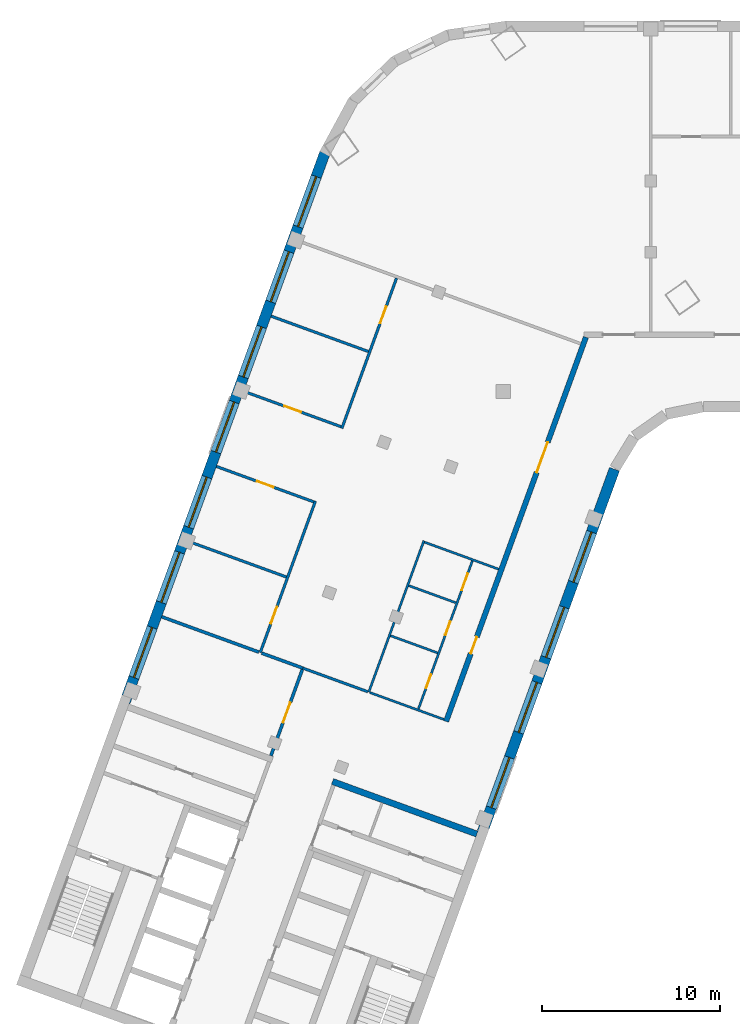
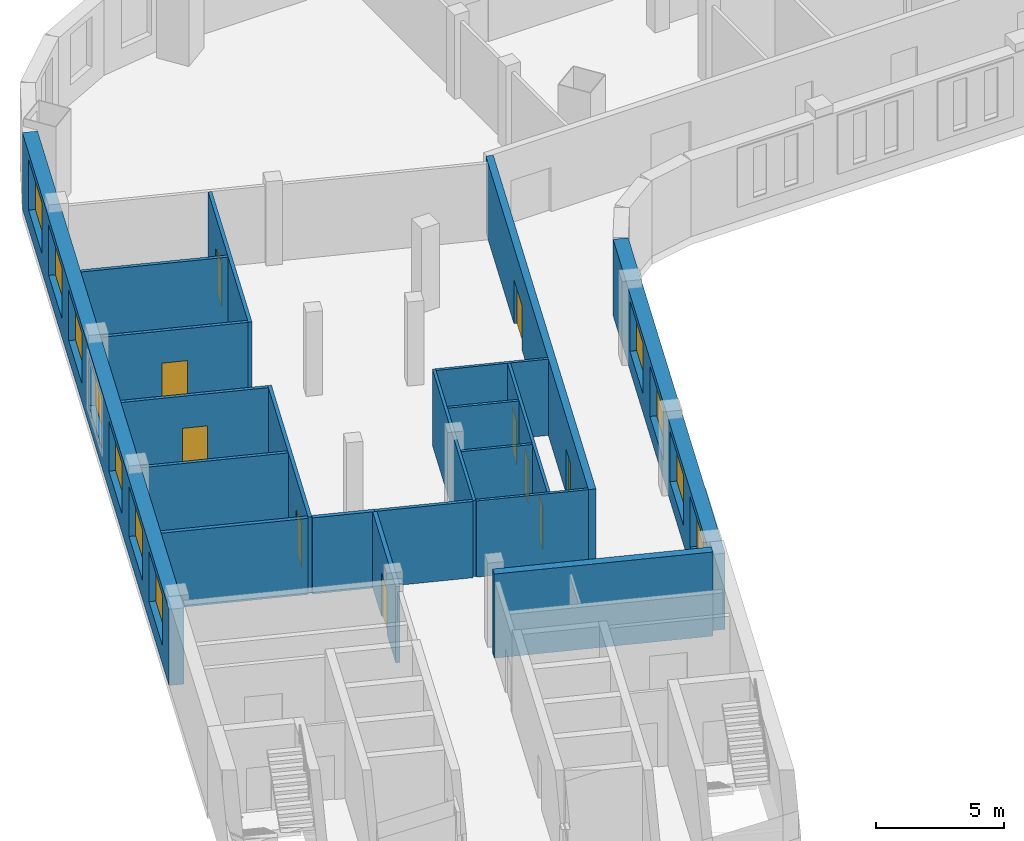
# One storey, part 3 of 8: 20 walls, 11 windows, 10 doors, 21 openings.
"""IFC4 building model written with IfcOpenShell, lengths in metres."""

from ifc_helpers import new_model, si_unit, direction, frame, frame_2d, origin, place, context, subcontext, project, spatial, rectangle, extrude, material, layer, layer_set, type_object, element, fill, save


model = new_model("IFC4")

# Units and contexts
model_context = context("Model", 3, precision=1e-05, world=origin(), true_north=direction((0.0, 1.0)))
body_context = subcontext(model_context, "Body", "Model", "MODEL_VIEW")
ifc_project = project(units=[si_unit("LENGTHUNIT", "METRE"), si_unit("AREAUNIT", "SQUARE_METRE"), si_unit("VOLUMEUNIT", "CUBIC_METRE"), si_unit("PLANEANGLEUNIT", "RADIAN"), si_unit("MASSUNIT", "GRAM", prefix="KILO")], contexts=[model_context])

# Site, building, storey
site_placement = place(None, origin())
site = spatial("IfcSite", under=ifc_project, at=site_placement, CompositionType="ELEMENT")
building_placement = place(site_placement, origin())
building = spatial("IfcBuilding", under=site, at=building_placement, Name="Skarvind Civic Tower", CompositionType="ELEMENT")
storey_placement = place(building_placement, frame((0.0, 0.0, 162.5)))
storey = spatial("IfcBuildingStorey", under=building, at=storey_placement, Name="L38", CompositionType="ELEMENT", Elevation=162.5)

# Walls
ifc_material_1 = material(Name="Acoustic gypsum board on steel studs", Category="steel")
ifc_layer_1 = layer(ifc_material_1, 0.175048828125)
ifc_layer_set_1 = layer_set([ifc_layer_1], Name="ACOUSTIC MEETING-ROOM PARTITION 175")
wall_type_1 = type_object("IfcWallType", Name="ACOUSTIC MEETING-ROOM PARTITION 175", PredefinedType="PARTITIONING", material=ifc_layer_set_1)
wall_1_placement = place(storey_placement, frame((26.736083984375, 105.47998046875, 0.0), z_axis=(0.0, 0.0, 1.0), x_axis=(0.939674453825, -0.342070052516, 0.0)))
element("IfcWall", 1, at=wall_1_placement, inside=storey, type_object=wall_type_1, Name="Partition 38.001", PredefinedType="PARTITIONING", context=body_context, shape_type="SweptSolid", body=[
    extrude(rectangle(XDim=5.814697265625, YDim=0.175048828125, at=frame_2d((2.9072265625, 0.0))), origin(), (0.0, 0.0, 1.0), 3.625),
])
wall_2_placement = place(storey_placement, frame((32.35888671875, 103.43310546875, 0.0), z_axis=(0.0, 0.0, 1.0), x_axis=(0.939784753685, -0.341766904105, 0.0)))
element("IfcWall", 2, at=wall_2_placement, inside=storey, type_object=wall_type_1, Name="Partition 38.004", PredefinedType="PARTITIONING", context=body_context, shape_type="SweptSolid", body=[
    extrude(rectangle(XDim=2.466552734375, YDim=0.175048828125, at=frame_2d((1.2333984375, 0.0))), origin(), (0.0, 0.0, 1.0), 3.625),
])

# Wall, opening, door
wall_3_placement = place(storey_placement, frame((32.881103515625, 97.656982421875, 0.0), z_axis=(0.0, 0.0, 1.0), x_axis=(0.342058204353, 0.939678766832, 0.0)))
wall_3 = element("IfcWall", 3, at=wall_3_placement, inside=storey, type_object=wall_type_1, Name="Partition 38.007", PredefinedType="PARTITIONING", context=body_context, shape_type="SweptSolid", body=[
    extrude(rectangle(XDim=5.16259765625, YDim=0.175048828125, at=frame_2d((2.581298828125, 0.0))), origin(), (0.0, 0.0, 1.0), 3.625),
])
opening_1_placement = place(wall_3_placement, frame((1.9912109375, 0.0, 0.0)))
opening_1 = element("IfcOpeningElement", 4, at=opening_1_placement, cuts=wall_3, Name="Opening L38-D011", PredefinedType="OPENING", context=body_context, shape_type="SweptSolid", body=[
    extrude(rectangle(XDim=1.199951171875, YDim=2.10009765625, at=frame_2d((0.60009765625, 1.050048828125))), frame((0.0, 0.097412109375, 0.0), z_axis=(0.0, -1.0, 0.0), x_axis=(1.0, 0.0, 0.0)), (0.0, 0.0, 1.0), 0.195068359375),
])
ifc_material_2 = material(Name="Timber door leaf", Category="wood")
door_type_1 = type_object("IfcDoorType", Name="DOOR 1200X2100 DOUBLE TIMBER", OperationType="NOTDEFINED", PredefinedType="DOOR", material=ifc_material_2)
door_1_placement = place(opening_1_placement, origin())
door_1 = element("IfcDoor", 5, at=door_1_placement, inside=storey, type_object=door_type_1, Name="Door L38-D011", OperationType="DOUBLE_DOOR_SINGLE_SWING", OverallHeight=2.10009765625, OverallWidth=1.199951171875, PredefinedType="DOOR", context=body_context, shape_type="SweptSolid", body=[
    extrude(rectangle(XDim=1.199951171875, YDim=2.10009765625, at=frame_2d((0.60009765625, 1.050048828125))), frame((0.0, 0.02490234375, 0.0), z_axis=(0.0, -1.0, 0.0), x_axis=(1.0, 0.0, 0.0)), (0.0, 0.0, 1.0), 0.050048828125),
])
fill(opening_1, door_1)

# Wall, openings, doors
ifc_material_3 = material(Name="Fire-rated gypsum board on steel studs", Category="steel")
ifc_layer_2 = layer(ifc_material_3, 0.300048828125)
ifc_layer_set_2 = layer_set([ifc_layer_2], Name="CORRIDOR WALL 300")
wall_type_2 = type_object("IfcWallType", Name="CORRIDOR WALL 300", PredefinedType="PARTITIONING", material=ifc_layer_set_2)
wall_4_placement = place(storey_placement, frame((42.737060546875, 99.590087890625, 0.0), z_axis=(0.0, 0.0, 1.0), x_axis=(0.341992703977, 0.939702607438, 0.0)))
wall_4 = element("IfcWall", 6, at=wall_4_placement, inside=storey, type_object=wall_type_2, Name="Partition 38.019", PredefinedType="PARTITIONING", context=body_context, shape_type="SweptSolid", body=[
    extrude(rectangle(XDim=23.006103515625, YDim=0.300048828125, at=frame_2d((11.5029296875, 0.0))), origin(), (0.0, 0.0, 1.0), 3.625),
])
opening_2_placement = place(wall_4_placement, frame((4.0625, 0.0, 0.0)))
opening_2 = element("IfcOpeningElement", 7, at=opening_2_placement, cuts=wall_4, Name="Opening L38-D012", PredefinedType="OPENING", context=body_context, shape_type="SweptSolid", body=[
    extrude(rectangle(XDim=1.0, YDim=2.10009765625, at=frame_2d((0.5, 1.050048828125))), frame((0.0, 0.159912109375, 0.0), z_axis=(0.0, -1.0, 0.0), x_axis=(1.0, 0.0, 0.0)), (0.0, 0.0, 1.0), 0.320068359375),
])
opening_3_placement = place(wall_4_placement, frame((14.912353515625, 0.0, 0.0)))
opening_3 = element("IfcOpeningElement", 8, at=opening_3_placement, cuts=wall_4, Name="Opening L38-D020", PredefinedType="OPENING", context=body_context, shape_type="SweptSolid", body=[
    extrude(rectangle(XDim=1.800048828125, YDim=2.10009765625, at=frame_2d((0.89990234375, 1.050048828125))), frame((0.0, 0.159912109375, 0.0), z_axis=(0.0, -1.0, 0.0), x_axis=(1.0, 0.0, 0.0)), (0.0, 0.0, 1.0), 0.320068359375),
])
ifc_material_4 = material(Name="Fire-rated timber door leaf", Category="wood")
door_type_2 = type_object("IfcDoorType", Name="FD1 1000x2100", OperationType="NOTDEFINED", PredefinedType="DOOR", material=ifc_material_4)
door_2_placement = place(opening_2_placement, origin())
door_2 = element("IfcDoor", 9, at=door_2_placement, inside=storey, type_object=door_type_2, Name="Door L38-D012", OperationType="SINGLE_SWING_LEFT", OverallHeight=2.10009765625, OverallWidth=1.0, PredefinedType="DOOR", context=body_context, shape_type="SweptSolid", body=[
    extrude(rectangle(XDim=1.0, YDim=2.10009765625, at=frame_2d((0.5, 1.050048828125))), frame((0.0, 0.02490234375, 0.0), z_axis=(0.0, -1.0, 0.0), x_axis=(1.0, 0.0, 0.0)), (0.0, 0.0, 1.0), 0.050048828125),
])
fill(opening_2, door_2)
door_type_3 = type_object("IfcDoorType", Name="FD4 1800x2100", OperationType="NOTDEFINED", PredefinedType="DOOR", material=ifc_material_4)
door_3_placement = place(opening_3_placement, origin())
door_3 = element("IfcDoor", 10, at=door_3_placement, inside=storey, type_object=door_type_3, Name="Door L38-D020", OperationType="DOUBLE_DOOR_SINGLE_SWING", OverallHeight=2.10009765625, OverallWidth=1.800048828125, PredefinedType="DOOR", context=body_context, shape_type="SweptSolid", body=[
    extrude(rectangle(XDim=1.800048828125, YDim=2.10009765625, at=frame_2d((0.89990234375, 1.050048828125))), frame((0.0, 0.02490234375, 0.0), z_axis=(0.0, -1.0, 0.0), x_axis=(1.0, 0.0, 0.0)), (0.0, 0.0, 1.0), 0.050048828125),
])
fill(opening_3, door_3)

# Walls
ifc_material_5 = material(Name="Concrete C60", Category="concrete")
ifc_layer_3 = layer(ifc_material_5, 0.35009765625)
ifc_layer_set_3 = layer_set([ifc_layer_3], Name="Core wall 350 C60")
wall_type_3 = type_object("IfcWallType", Name="Core wall 350 C60", PredefinedType="SHEAR", material=ifc_layer_set_3)
wall_5_placement = place(storey_placement, frame((44.473388671875, 93.25146484375, 0.0), z_axis=(0.0, 0.0, 1.0), x_axis=(-0.939692847377, 0.34201952077, 0.0)))
element("IfcWall", 11, at=wall_5_placement, inside=storey, type_object=wall_type_3, Name="Core wall C2 south inner face L38", PredefinedType="SHEAR", context=body_context, shape_type="SweptSolid", body=[
    extrude(rectangle(XDim=8.650146484375, YDim=0.35009765625, at=frame_2d((4.3251953125, 0.0))), origin(), (0.0, 0.0, 1.0), 4.0),
])
ifc_material_6 = material(Name="Plasterboard partition on steel studs", Category="steel")
ifc_layer_4 = layer(ifc_material_6, 0.14990234375)
ifc_layer_set_4 = layer_set([ifc_layer_4], Name="PARTITION 150")
wall_type_4 = type_object("IfcWallType", Name="PARTITION 150", PredefinedType="PARTITIONING", material=ifc_layer_set_4)
wall_6_placement = place(storey_placement, frame((28.27490234375, 109.708984375, 0.0), z_axis=(0.0, 0.0, 1.0), x_axis=(0.939718757431, -0.341948324943, 0.0)))
element("IfcWall", 12, at=wall_6_placement, inside=storey, type_object=wall_type_4, Name="Partition 38.002", PredefinedType="PARTITIONING", context=body_context, shape_type="SweptSolid", body=[
    extrude(rectangle(XDim=5.8251953125, YDim=0.14990234375, at=frame_2d((2.91259765625, 0.0))), origin(), (0.0, 0.0, 1.0), 3.625),
])

# Wall, opening, door
wall_7_placement = place(storey_placement, frame((29.81396484375, 113.93798828125, 0.0), z_axis=(0.0, 0.0, 1.0), x_axis=(0.939738354986, -0.341894463495, 0.0)))
wall_7 = element("IfcWall", 13, at=wall_7_placement, inside=storey, type_object=wall_type_4, Name="Partition 38.003", PredefinedType="PARTITIONING", context=body_context, shape_type="SweptSolid", body=[
    extrude(rectangle(XDim=5.826171875, YDim=0.14990234375, at=frame_2d((2.9130859375, 0.0))), origin(), (0.0, 0.0, 1.0), 3.625),
])
opening_4_placement = place(wall_7_placement, frame((2.42333984375, 0.0, 0.0)))
opening_4 = element("IfcOpeningElement", 14, at=opening_4_placement, cuts=wall_7, Name="Opening L38-D017", PredefinedType="OPENING", context=body_context, shape_type="SweptSolid", body=[
    extrude(rectangle(XDim=1.0, YDim=2.10009765625, at=frame_2d((0.5, 1.050048828125))), frame((0.0, 0.0849609375, 0.0), z_axis=(0.0, -1.0, 0.0), x_axis=(1.0, 0.0, 0.0)), (0.0, 0.0, 1.0), 0.169921875),
])
door_type_4 = type_object("IfcDoorType", Name="D1 1000x2100", OperationType="NOTDEFINED", PredefinedType="DOOR", material=ifc_material_2)
door_4_placement = place(opening_4_placement, origin())
door_4 = element("IfcDoor", 15, at=door_4_placement, inside=storey, type_object=door_type_4, Name="Door L38-D017", OperationType="SINGLE_SWING_LEFT", OverallHeight=2.10009765625, OverallWidth=1.0, PredefinedType="DOOR", context=body_context, shape_type="SweptSolid", body=[
    extrude(rectangle(XDim=1.0, YDim=2.10009765625, at=frame_2d((0.5, 1.050048828125))), frame((0.0, 0.02490234375, 0.0), z_axis=(0.0, -1.0, 0.0), x_axis=(1.0, 0.0, 0.0)), (0.0, 0.0, 1.0), 0.050048828125),
])
fill(opening_4, door_4)

# Walls
wall_8_placement = place(storey_placement, frame((32.89208984375, 122.39501953125, 0.0), z_axis=(0.0, 0.0, 1.0), x_axis=(0.939733456466, -0.341907927371, 0.0)))
element("IfcWall", 16, at=wall_8_placement, inside=storey, type_object=wall_type_4, Name="Partition 38.005", PredefinedType="PARTITIONING", context=body_context, shape_type="SweptSolid", body=[
    extrude(rectangle(XDim=5.825927734375, YDim=0.14990234375, at=frame_2d((2.9130859375, 0.0))), origin(), (0.0, 0.0, 1.0), 3.625),
])
wall_9_placement = place(storey_placement, frame((34.677001953125, 102.590087890625, 0.0), z_axis=(0.0, 0.0, 1.0), x_axis=(0.939712759945, -0.341964806371, 0.0)))
element("IfcWall", 17, at=wall_9_placement, inside=storey, type_object=wall_type_4, Name="Partition 38.008", PredefinedType="PARTITIONING", context=body_context, shape_type="SweptSolid", body=[
    extrude(rectangle(XDim=3.889404296875, YDim=0.14990234375, at=frame_2d((1.94482421875, 0.0))), origin(), (0.0, 0.0, 1.0), 3.625),
])

# Wall, opening, door
wall_10_placement = place(storey_placement, frame((35.385009765625, 111.989990234375, 0.0), z_axis=(0.0, 0.0, 1.0), x_axis=(-0.342153449842, -0.939644090473, 0.0)))
wall_10 = element("IfcWall", 18, at=wall_10_placement, inside=storey, type_object=wall_type_4, Name="Partition 38.009", PredefinedType="PARTITIONING", context=body_context, shape_type="SweptSolid", body=[
    extrude(rectangle(XDim=9.07470703125, YDim=0.14990234375, at=frame_2d((4.537353515625, 0.0))), origin(), (0.0, 0.0, 1.0), 3.625),
])
opening_5_placement = place(wall_10_placement, frame((6.3251953125, 0.0, 0.0)))
opening_5 = element("IfcOpeningElement", 19, at=opening_5_placement, cuts=wall_10, Name="Opening L38-D016", PredefinedType="OPENING", context=body_context, shape_type="SweptSolid", body=[
    extrude(rectangle(XDim=1.0, YDim=2.10009765625, at=frame_2d((0.5, 1.050048828125))), frame((0.0, 0.0849609375, 0.0), z_axis=(0.0, -1.0, 0.0), x_axis=(1.0, 0.0, 0.0)), (0.0, 0.0, 1.0), 0.169921875),
])
door_5_placement = place(opening_5_placement, origin())
door_5 = element("IfcDoor", 20, at=door_5_placement, inside=storey, type_object=door_type_4, Name="Door L38-D016", OperationType="SINGLE_SWING_LEFT", OverallHeight=2.10009765625, OverallWidth=1.0, PredefinedType="DOOR", context=body_context, shape_type="SweptSolid", body=[
    extrude(rectangle(XDim=1.0, YDim=2.10009765625, at=frame_2d((0.5, 1.050048828125))), frame((0.0, 0.02490234375, 0.0), z_axis=(0.0, -1.0, 0.0), x_axis=(1.0, 0.0, 0.0)), (0.0, 0.0, 1.0), 0.050048828125),
])
fill(opening_5, door_5)

wall_11_placement = place(storey_placement, frame((36.827880859375, 116.174072265625, 0.0), z_axis=(0.0, 0.0, 1.0), x_axis=(-0.939733456466, 0.341907927371, 0.0)))
wall_11 = element("IfcWall", 21, at=wall_11_placement, inside=storey, type_object=wall_type_4, Name="Partition 38.010", PredefinedType="PARTITIONING", context=body_context, shape_type="SweptSolid", body=[
    extrude(rectangle(XDim=5.825927734375, YDim=0.14990234375, at=frame_2d((2.9130859375, 0.0))), origin(), (0.0, 0.0, 1.0), 3.625),
])
opening_6_placement = place(wall_11_placement, frame((2.40283203125, 0.0, 0.0)))
opening_6 = element("IfcOpeningElement", 22, at=opening_6_placement, cuts=wall_11, Name="Opening L38-D018", PredefinedType="OPENING", context=body_context, shape_type="SweptSolid", body=[
    extrude(rectangle(XDim=1.0, YDim=2.10009765625, at=frame_2d((0.5, 1.050048828125))), frame((0.0, 0.0849609375, 0.0), z_axis=(0.0, -1.0, 0.0), x_axis=(1.0, 0.0, 0.0)), (0.0, 0.0, 1.0), 0.169921875),
])
door_6_placement = place(opening_6_placement, origin())
door_6 = element("IfcDoor", 23, at=door_6_placement, inside=storey, type_object=door_type_4, Name="Door L38-D018", OperationType="SINGLE_SWING_RIGHT", OverallHeight=2.10009765625, OverallWidth=1.0, PredefinedType="DOOR", context=body_context, shape_type="SweptSolid", body=[
    extrude(rectangle(XDim=1.0, YDim=2.10009765625, at=frame_2d((0.5, 1.050048828125))), frame((0.0, 0.02490234375, 0.0), z_axis=(0.0, -1.0, 0.0), x_axis=(1.0, 0.0, 0.0)), (0.0, 0.0, 1.0), 0.050048828125),
])
fill(opening_6, door_6)

wall_12_placement = place(storey_placement, frame((39.949951171875, 124.535888671875, 0.0), z_axis=(0.0, 0.0, 1.0), x_axis=(-0.341963022424, -0.939713409128, 0.0)))
wall_12 = element("IfcWall", 24, at=wall_12_placement, inside=storey, type_object=wall_type_4, Name="Partition 38.011", PredefinedType="PARTITIONING", context=body_context, shape_type="SweptSolid", body=[
    extrude(rectangle(XDim=9.000732421875, YDim=0.14990234375, at=frame_2d((4.50048828125, 0.0))), origin(), (0.0, 0.0, 1.0), 3.625),
])
opening_7_placement = place(wall_12_placement, frame((1.70263671875, 0.0, 0.0)))
opening_7 = element("IfcOpeningElement", 25, at=opening_7_placement, cuts=wall_12, Name="Opening L38-D019", PredefinedType="OPENING", context=body_context, shape_type="SweptSolid", body=[
    extrude(rectangle(XDim=1.0, YDim=2.10009765625, at=frame_2d((0.5, 1.050048828125))), frame((0.0, 0.0849609375, 0.0), z_axis=(0.0, -1.0, 0.0), x_axis=(1.0, 0.0, 0.0)), (0.0, 0.0, 1.0), 0.169921875),
])
door_7_placement = place(opening_7_placement, origin())
door_7 = element("IfcDoor", 26, at=door_7_placement, inside=storey, type_object=door_type_4, Name="Door L38-D019", OperationType="SINGLE_SWING_LEFT", OverallHeight=2.10009765625, OverallWidth=1.0, PredefinedType="DOOR", context=body_context, shape_type="SweptSolid", body=[
    extrude(rectangle(XDim=1.0, YDim=2.10009765625, at=frame_2d((0.5, 1.050048828125))), frame((0.0, 0.02490234375, 0.0), z_axis=(0.0, -1.0, 0.0), x_axis=(1.0, 0.0, 0.0)), (0.0, 0.0, 1.0), 0.050048828125),
])
fill(opening_7, door_7)

# Walls
ifc_material_7 = material(Name="Moisture-resistant gypsum board on steel studs", Category="steel")
ifc_layer_5 = layer(ifc_material_7, 0.125)
ifc_layer_set_5 = layer_set([ifc_layer_5], Name="WC PARTITION 125")
wall_type_5 = type_object("IfcWallType", Name="WC PARTITION 125", PredefinedType="PARTITIONING", material=ifc_layer_set_5)
wall_13_placement = place(storey_placement, frame((38.455078125, 101.214111328125, 0.0), z_axis=(0.0, 0.0, 1.0), x_axis=(0.939738687483, -0.341893549585, 0.0)))
element("IfcWall", 27, at=wall_13_placement, inside=storey, type_object=wall_type_5, Name="Partition 38.012", PredefinedType="PARTITIONING", context=body_context, shape_type="SweptSolid", body=[
    extrude(rectangle(XDim=4.4287109375, YDim=0.125, at=frame_2d((2.21435546875, 0.0))), origin(), (0.0, 0.0, 1.0), 3.625),
])
wall_14_placement = place(storey_placement, frame((38.387939453125, 101.239990234375, 0.0), z_axis=(0.0, 0.0, 1.0), x_axis=(0.342067486799, 0.93967538782, 0.0)))
element("IfcWall", 28, at=wall_14_placement, inside=storey, type_object=wall_type_5, Name="Partition 38.013", PredefinedType="PARTITIONING", context=body_context, shape_type="SweptSolid", body=[
    extrude(rectangle(XDim=9.062744140625, YDim=0.125, at=frame_2d((4.53125, 0.0))), origin(), (0.0, 0.0, 1.0), 3.625),
])

# Wall, openings, doors
wall_15_placement = place(storey_placement, frame((41.180908203125, 100.2900390625, 0.0), z_axis=(0.0, 0.0, 1.0), x_axis=(0.34222012082, 0.939619810831, 0.0)))
wall_15 = element("IfcWall", 29, at=wall_15_placement, inside=storey, type_object=wall_type_5, Name="Partition 38.015", PredefinedType="PARTITIONING", context=body_context, shape_type="SweptSolid", body=[
    extrude(rectangle(XDim=8.874755859375, YDim=0.125, at=frame_2d((4.4375, 0.0))), origin(), (0.0, 0.0, 1.0), 3.625),
])
opening_8_placement = place(wall_15_placement, frame((1.25830078125, 0.0, 0.0)))
opening_8 = element("IfcOpeningElement", 30, at=opening_8_placement, cuts=wall_15, Name="Opening L38-D013", PredefinedType="OPENING", context=body_context, shape_type="SweptSolid", body=[
    extrude(rectangle(XDim=0.800048828125, YDim=2.10009765625, at=frame_2d((0.39990234375, 1.050048828125))), frame((0.0, 0.072509765625, 0.0), z_axis=(0.0, -1.0, 0.0), x_axis=(1.0, 0.0, 0.0)), (0.0, 0.0, 1.0), 0.14501953125),
])
opening_9_placement = place(wall_15_placement, frame((4.43701171875, 0.0, 0.0)))
opening_9 = element("IfcOpeningElement", 31, at=opening_9_placement, cuts=wall_15, Name="Opening L38-D014", PredefinedType="OPENING", context=body_context, shape_type="SweptSolid", body=[
    extrude(rectangle(XDim=0.800048828125, YDim=2.10009765625, at=frame_2d((0.39990234375, 1.050048828125))), frame((0.0, 0.072509765625, 0.0), z_axis=(0.0, -1.0, 0.0), x_axis=(1.0, 0.0, 0.0)), (0.0, 0.0, 1.0), 0.14501953125),
])
opening_10_placement = place(wall_15_placement, frame((7.1162109375, 0.0, 0.0)))
opening_10 = element("IfcOpeningElement", 32, at=opening_10_placement, cuts=wall_15, Name="Opening L38-D015", PredefinedType="OPENING", context=body_context, shape_type="SweptSolid", body=[
    extrude(rectangle(XDim=1.0, YDim=2.10009765625, at=frame_2d((0.5, 1.050048828125))), frame((0.0, 0.072509765625, 0.0), z_axis=(0.0, -1.0, 0.0), x_axis=(1.0, 0.0, 0.0)), (0.0, 0.0, 1.0), 0.14501953125),
])
door_8_placement = place(opening_10_placement, origin())
door_8 = element("IfcDoor", 33, at=door_8_placement, inside=storey, type_object=door_type_4, Name="Door L38-D015", OperationType="SINGLE_SWING_LEFT", OverallHeight=2.10009765625, OverallWidth=1.0, PredefinedType="DOOR", context=body_context, shape_type="SweptSolid", body=[
    extrude(rectangle(XDim=1.0, YDim=2.10009765625, at=frame_2d((0.5, 1.050048828125))), frame((0.0, 0.02490234375, 0.0), z_axis=(0.0, -1.0, 0.0), x_axis=(1.0, 0.0, 0.0)), (0.0, 0.0, 1.0), 0.050048828125),
])
fill(opening_10, door_8)
door_type_5 = type_object("IfcDoorType", Name="DOOR 800X2100 TIMBER", OperationType="NOTDEFINED", PredefinedType="DOOR", material=ifc_material_2)
door_9_placement = place(opening_8_placement, origin())
door_9 = element("IfcDoor", 34, at=door_9_placement, inside=storey, type_object=door_type_5, Name="Door L38-D013", OperationType="SINGLE_SWING_LEFT", OverallHeight=2.10009765625, OverallWidth=0.800048828125, PredefinedType="DOOR", context=body_context, shape_type="SweptSolid", body=[
    extrude(rectangle(XDim=0.800048828125, YDim=2.10009765625, at=frame_2d((0.39990234375, 1.050048828125))), frame((0.0, 0.02490234375, 0.0), z_axis=(0.0, -1.0, 0.0), x_axis=(1.0, 0.0, 0.0)), (0.0, 0.0, 1.0), 0.050048828125),
])
fill(opening_8, door_9)
door_10_placement = place(opening_9_placement, origin())
door_10 = element("IfcDoor", 35, at=door_10_placement, inside=storey, type_object=door_type_5, Name="Door L38-D014", OperationType="SINGLE_SWING_LEFT", OverallHeight=2.10009765625, OverallWidth=0.800048828125, PredefinedType="DOOR", context=body_context, shape_type="SweptSolid", body=[
    extrude(rectangle(XDim=0.800048828125, YDim=2.10009765625, at=frame_2d((0.39990234375, 1.050048828125))), frame((0.0, 0.02490234375, 0.0), z_axis=(0.0, -1.0, 0.0), x_axis=(1.0, 0.0, 0.0)), (0.0, 0.0, 1.0), 0.050048828125),
])
fill(opening_9, door_10)

# Walls
wall_16_placement = place(storey_placement, frame((41.52587890625, 109.676025390625, 0.0), z_axis=(0.0, 0.0, 1.0), x_axis=(0.939577975992, -0.342334963203, 0.0)))
element("IfcWall", 36, at=wall_16_placement, inside=storey, type_object=wall_type_5, Name="Partition 38.016", PredefinedType="PARTITIONING", context=body_context, shape_type="SweptSolid", body=[
    extrude(rectangle(XDim=4.437255859375, YDim=0.125, at=frame_2d((2.21875, 0.0))), origin(), (0.0, 0.0, 1.0), 3.625),
])
wall_17_placement = place(storey_placement, frame((42.263916015625, 103.446044921875, 0.0), z_axis=(0.0, 0.0, 1.0), x_axis=(-0.939563555473, 0.342374539396, 0.0)))
element("IfcWall", 37, at=wall_17_placement, inside=storey, type_object=wall_type_5, Name="Partition 38.017", PredefinedType="PARTITIONING", context=body_context, shape_type="SweptSolid", body=[
    extrude(rectangle(XDim=2.824462890625, YDim=0.125, at=frame_2d((1.412109375, 0.0))), origin(), (0.0, 0.0, 1.0), 3.625),
])
wall_18_placement = place(storey_placement, frame((43.2900390625, 106.26611328125, 0.0), z_axis=(0.0, 0.0, 1.0), x_axis=(-0.939601484935, 0.342270433294, 0.0)))
element("IfcWall", 38, at=wall_18_placement, inside=storey, type_object=wall_type_5, Name="Partition 38.020", PredefinedType="PARTITIONING", context=body_context, shape_type="SweptSolid", body=[
    extrude(rectangle(XDim=2.82470703125, YDim=0.125, at=frame_2d((1.412353515625, 0.0))), origin(), (0.0, 0.0, 1.0), 3.625),
])

# Wall, openings, windows
ifc_material_8 = material(Name="Limestone masonry cladding on insulated backing", Category="masonry")
ifc_layer_6 = layer(ifc_material_8, 0.60009765625)
ifc_layer_set_6 = layer_set([ifc_layer_6], Name="WX1 STONE FACADE WALL 600")
wall_type_6 = type_object("IfcWallType", Name="WX1 STONE FACADE WALL 600", PredefinedType="SOLIDWALL", material=ifc_layer_set_6)
wall_19_placement = place(storey_placement, frame((52.212158203125, 113.78271484375, 0.0), z_axis=(0.0, 0.0, 1.0), x_axis=(-0.34202521188, -0.939690775968, 0.0)))
wall_19 = element("IfcWall", 39, at=wall_19_placement, inside=storey, type_object=wall_type_6, Name="STONE FACADE WALL", PredefinedType="SOLIDWALL", context=body_context, shape_type="SweptSolid", body=[
    extrude(rectangle(XDim=21.744873046875, YDim=0.60009765625, at=frame_2d((10.87255859375, 0.0))), origin(), (0.0, 0.0, 1.0), 3.625),
])
opening_11_placement = place(wall_19_placement, frame((3.764892578125, 0.0, 0.89990234375)))
opening_11 = element("IfcOpeningElement", 40, at=opening_11_placement, cuts=wall_19, Name="Opening WN1", PredefinedType="OPENING", context=body_context, shape_type="SweptSolid", body=[
    extrude(rectangle(XDim=3.0, YDim=2.39990234375, at=frame_2d((1.5, 1.199951171875))), frame((0.0, 0.31005859375, 0.0), z_axis=(0.0, -1.0, 0.0), x_axis=(1.0, 0.0, 0.0)), (0.0, 0.0, 1.0), 0.6201171875),
])
opening_12_placement = place(wall_19_placement, frame((8.264892578125, 0.0, 0.89990234375)))
opening_12 = element("IfcOpeningElement", 41, at=opening_12_placement, cuts=wall_19, Name="Opening WN1", PredefinedType="OPENING", context=body_context, shape_type="SweptSolid", body=[
    extrude(rectangle(XDim=3.0, YDim=2.39990234375, at=frame_2d((1.5, 1.199951171875))), frame((0.0, 0.31005859375, 0.0), z_axis=(0.0, -1.0, 0.0), x_axis=(1.0, 0.0, 0.0)), (0.0, 0.0, 1.0), 0.6201171875),
])
opening_13_placement = place(wall_19_placement, frame((12.764892578125, 0.0, 0.89990234375)))
opening_13 = element("IfcOpeningElement", 42, at=opening_13_placement, cuts=wall_19, Name="Opening WN1", PredefinedType="OPENING", context=body_context, shape_type="SweptSolid", body=[
    extrude(rectangle(XDim=3.0, YDim=2.39990234375, at=frame_2d((1.5, 1.199951171875))), frame((0.0, 0.31005859375, 0.0), z_axis=(0.0, -1.0, 0.0), x_axis=(1.0, 0.0, 0.0)), (0.0, 0.0, 1.0), 0.6201171875),
])
opening_14_placement = place(wall_19_placement, frame((17.264892578125, 0.0, 0.89990234375)))
opening_14 = element("IfcOpeningElement", 43, at=opening_14_placement, cuts=wall_19, Name="Opening WN1", PredefinedType="OPENING", context=body_context, shape_type="SweptSolid", body=[
    extrude(rectangle(XDim=3.0, YDim=2.39990234375, at=frame_2d((1.5, 1.199951171875))), frame((0.0, 0.31005859375, 0.0), z_axis=(0.0, -1.0, 0.0), x_axis=(1.0, 0.0, 0.0)), (0.0, 0.0, 1.0), 0.6201171875),
])
ifc_material_9 = material(Name="Timber frame, double glazing, timber-lined reveal", Category="wood")
window_type = type_object("IfcWindowType", Name="WN1 PUNCHED STONE WINDOW 3000 x 2400", PartitioningType="SINGLE_PANEL", PredefinedType="WINDOW", material=ifc_material_9)
window_1_placement = place(opening_11_placement, origin())
window_1 = element("IfcWindow", 44, at=window_1_placement, inside=storey, type_object=window_type, Name="WN1 WINDOW", OverallHeight=2.39990234375, OverallWidth=3.0, PartitioningType="SINGLE_PANEL", PredefinedType="WINDOW", context=body_context, shape_type="SweptSolid", body=[
    extrude(rectangle(XDim=3.0, YDim=2.39990234375, at=frame_2d((1.5, 1.199951171875))), frame((0.0, 0.030029296875, 0.0), z_axis=(0.0, -1.0, 0.0), x_axis=(1.0, 0.0, 0.0)), (0.0, 0.0, 1.0), 0.06005859375),
])
fill(opening_11, window_1)
window_2_placement = place(opening_12_placement, origin())
window_2 = element("IfcWindow", 45, at=window_2_placement, inside=storey, type_object=window_type, Name="WN1 WINDOW", OverallHeight=2.39990234375, OverallWidth=3.0, PartitioningType="SINGLE_PANEL", PredefinedType="WINDOW", context=body_context, shape_type="SweptSolid", body=[
    extrude(rectangle(XDim=3.0, YDim=2.39990234375, at=frame_2d((1.5, 1.199951171875))), frame((0.0, 0.030029296875, 0.0), z_axis=(0.0, -1.0, 0.0), x_axis=(1.0, 0.0, 0.0)), (0.0, 0.0, 1.0), 0.06005859375),
])
fill(opening_12, window_2)
window_3_placement = place(opening_13_placement, origin())
window_3 = element("IfcWindow", 46, at=window_3_placement, inside=storey, type_object=window_type, Name="WN1 WINDOW", OverallHeight=2.39990234375, OverallWidth=3.0, PartitioningType="SINGLE_PANEL", PredefinedType="WINDOW", context=body_context, shape_type="SweptSolid", body=[
    extrude(rectangle(XDim=3.0, YDim=2.39990234375, at=frame_2d((1.5, 1.199951171875))), frame((0.0, 0.030029296875, 0.0), z_axis=(0.0, -1.0, 0.0), x_axis=(1.0, 0.0, 0.0)), (0.0, 0.0, 1.0), 0.06005859375),
])
fill(opening_13, window_3)
window_4_placement = place(opening_14_placement, origin())
window_4 = element("IfcWindow", 47, at=window_4_placement, inside=storey, type_object=window_type, Name="WN1 WINDOW", OverallHeight=2.39990234375, OverallWidth=3.0, PartitioningType="SINGLE_PANEL", PredefinedType="WINDOW", context=body_context, shape_type="SweptSolid", body=[
    extrude(rectangle(XDim=3.0, YDim=2.39990234375, at=frame_2d((1.5, 1.199951171875))), frame((0.0, 0.030029296875, 0.0), z_axis=(0.0, -1.0, 0.0), x_axis=(1.0, 0.0, 0.0)), (0.0, 0.0, 1.0), 0.06005859375),
])
fill(opening_14, window_4)

wall_20_placement = place(storey_placement, frame((24.66552734375, 100.668701171875, 0.0), z_axis=(0.0, 0.0, 1.0), x_axis=(0.34201964167, 0.939692803373, 0.0)))
wall_20 = element("IfcWall", 48, at=wall_20_placement, inside=storey, type_object=wall_type_6, Name="STONE FACADE WALL", PredefinedType="SOLIDWALL", context=body_context, shape_type="SweptSolid", body=[
    extrude(rectangle(XDim=32.88427734375, YDim=0.60009765625, at=frame_2d((16.442138671875, 0.0))), origin(), (0.0, 0.0, 1.0), 3.625),
])
opening_15_placement = place(wall_20_placement, frame((1.47998046875, 0.0, 0.89990234375)))
opening_15 = element("IfcOpeningElement", 49, at=opening_15_placement, cuts=wall_20, Name="Opening WN1", PredefinedType="OPENING", context=body_context, shape_type="SweptSolid", body=[
    extrude(rectangle(XDim=3.0, YDim=2.39990234375, at=frame_2d((1.5, 1.199951171875))), frame((0.0, 0.31005859375, 0.0), z_axis=(0.0, -1.0, 0.0), x_axis=(1.0, 0.0, 0.0)), (0.0, 0.0, 1.0), 0.6201171875),
])
opening_16_placement = place(wall_20_placement, frame((5.97998046875, 0.0, 0.89990234375)))
opening_16 = element("IfcOpeningElement", 50, at=opening_16_placement, cuts=wall_20, Name="Opening WN1", PredefinedType="OPENING", context=body_context, shape_type="SweptSolid", body=[
    extrude(rectangle(XDim=3.0, YDim=2.39990234375, at=frame_2d((1.5, 1.199951171875))), frame((0.0, 0.31005859375, 0.0), z_axis=(0.0, -1.0, 0.0), x_axis=(1.0, 0.0, 0.0)), (0.0, 0.0, 1.0), 0.6201171875),
])
opening_17_placement = place(wall_20_placement, frame((10.47998046875, 0.0, 0.89990234375)))
opening_17 = element("IfcOpeningElement", 51, at=opening_17_placement, cuts=wall_20, Name="Opening WN1", PredefinedType="OPENING", context=body_context, shape_type="SweptSolid", body=[
    extrude(rectangle(XDim=3.0, YDim=2.39990234375, at=frame_2d((1.5, 1.199951171875))), frame((0.0, 0.31005859375, 0.0), z_axis=(0.0, -1.0, 0.0), x_axis=(1.0, 0.0, 0.0)), (0.0, 0.0, 1.0), 0.6201171875),
])
opening_18_placement = place(wall_20_placement, frame((14.97998046875, 0.0, 0.89990234375)))
opening_18 = element("IfcOpeningElement", 52, at=opening_18_placement, cuts=wall_20, Name="Opening WN1", PredefinedType="OPENING", context=body_context, shape_type="SweptSolid", body=[
    extrude(rectangle(XDim=3.0, YDim=2.39990234375, at=frame_2d((1.5, 1.199951171875))), frame((0.0, 0.31005859375, 0.0), z_axis=(0.0, -1.0, 0.0), x_axis=(1.0, 0.0, 0.0)), (0.0, 0.0, 1.0), 0.6201171875),
])
opening_19_placement = place(wall_20_placement, frame((19.47998046875, 0.0, 0.89990234375)))
opening_19 = element("IfcOpeningElement", 53, at=opening_19_placement, cuts=wall_20, Name="Opening WN1", PredefinedType="OPENING", context=body_context, shape_type="SweptSolid", body=[
    extrude(rectangle(XDim=3.0, YDim=2.39990234375, at=frame_2d((1.5, 1.199951171875))), frame((0.0, 0.31005859375, 0.0), z_axis=(0.0, -1.0, 0.0), x_axis=(1.0, 0.0, 0.0)), (0.0, 0.0, 1.0), 0.6201171875),
])
opening_20_placement = place(wall_20_placement, frame((23.97998046875, 0.0, 0.89990234375)))
opening_20 = element("IfcOpeningElement", 54, at=opening_20_placement, cuts=wall_20, Name="Opening WN1", PredefinedType="OPENING", context=body_context, shape_type="SweptSolid", body=[
    extrude(rectangle(XDim=3.0, YDim=2.39990234375, at=frame_2d((1.5, 1.199951171875))), frame((0.0, 0.31005859375, 0.0), z_axis=(0.0, -1.0, 0.0), x_axis=(1.0, 0.0, 0.0)), (0.0, 0.0, 1.0), 0.6201171875),
])
opening_21_placement = place(wall_20_placement, frame((28.47998046875, 0.0, 0.89990234375)))
opening_21 = element("IfcOpeningElement", 55, at=opening_21_placement, cuts=wall_20, Name="Opening WN1", PredefinedType="OPENING", context=body_context, shape_type="SweptSolid", body=[
    extrude(rectangle(XDim=3.0, YDim=2.39990234375, at=frame_2d((1.5, 1.199951171875))), frame((0.0, 0.31005859375, 0.0), z_axis=(0.0, -1.0, 0.0), x_axis=(1.0, 0.0, 0.0)), (0.0, 0.0, 1.0), 0.6201171875),
])
window_5_placement = place(opening_15_placement, origin())
window_5 = element("IfcWindow", 56, at=window_5_placement, inside=storey, type_object=window_type, Name="WN1 WINDOW", OverallHeight=2.39990234375, OverallWidth=3.0, PartitioningType="SINGLE_PANEL", PredefinedType="WINDOW", context=body_context, shape_type="SweptSolid", body=[
    extrude(rectangle(XDim=3.0, YDim=2.39990234375, at=frame_2d((1.5, 1.199951171875))), frame((0.0, 0.030029296875, 0.0), z_axis=(0.0, -1.0, 0.0), x_axis=(1.0, 0.0, 0.0)), (0.0, 0.0, 1.0), 0.06005859375),
])
fill(opening_15, window_5)
window_6_placement = place(opening_16_placement, origin())
window_6 = element("IfcWindow", 57, at=window_6_placement, inside=storey, type_object=window_type, Name="WN1 WINDOW", OverallHeight=2.39990234375, OverallWidth=3.0, PartitioningType="SINGLE_PANEL", PredefinedType="WINDOW", context=body_context, shape_type="SweptSolid", body=[
    extrude(rectangle(XDim=3.0, YDim=2.39990234375, at=frame_2d((1.5, 1.199951171875))), frame((0.0, 0.030029296875, 0.0), z_axis=(0.0, -1.0, 0.0), x_axis=(1.0, 0.0, 0.0)), (0.0, 0.0, 1.0), 0.06005859375),
])
fill(opening_16, window_6)
window_7_placement = place(opening_17_placement, origin())
window_7 = element("IfcWindow", 58, at=window_7_placement, inside=storey, type_object=window_type, Name="WN1 WINDOW", OverallHeight=2.39990234375, OverallWidth=3.0, PartitioningType="SINGLE_PANEL", PredefinedType="WINDOW", context=body_context, shape_type="SweptSolid", body=[
    extrude(rectangle(XDim=3.0, YDim=2.39990234375, at=frame_2d((1.5, 1.199951171875))), frame((0.0, 0.030029296875, 0.0), z_axis=(0.0, -1.0, 0.0), x_axis=(1.0, 0.0, 0.0)), (0.0, 0.0, 1.0), 0.06005859375),
])
fill(opening_17, window_7)
window_8_placement = place(opening_18_placement, origin())
window_8 = element("IfcWindow", 59, at=window_8_placement, inside=storey, type_object=window_type, Name="WN1 WINDOW", OverallHeight=2.39990234375, OverallWidth=3.0, PartitioningType="SINGLE_PANEL", PredefinedType="WINDOW", context=body_context, shape_type="SweptSolid", body=[
    extrude(rectangle(XDim=3.0, YDim=2.39990234375, at=frame_2d((1.5, 1.199951171875))), frame((0.0, 0.030029296875, 0.0), z_axis=(0.0, -1.0, 0.0), x_axis=(1.0, 0.0, 0.0)), (0.0, 0.0, 1.0), 0.06005859375),
])
fill(opening_18, window_8)
window_9_placement = place(opening_19_placement, origin())
window_9 = element("IfcWindow", 60, at=window_9_placement, inside=storey, type_object=window_type, Name="WN1 WINDOW", OverallHeight=2.39990234375, OverallWidth=3.0, PartitioningType="SINGLE_PANEL", PredefinedType="WINDOW", context=body_context, shape_type="SweptSolid", body=[
    extrude(rectangle(XDim=3.0, YDim=2.39990234375, at=frame_2d((1.5, 1.199951171875))), frame((0.0, 0.030029296875, 0.0), z_axis=(0.0, -1.0, 0.0), x_axis=(1.0, 0.0, 0.0)), (0.0, 0.0, 1.0), 0.06005859375),
])
fill(opening_19, window_9)
window_10_placement = place(opening_20_placement, origin())
window_10 = element("IfcWindow", 61, at=window_10_placement, inside=storey, type_object=window_type, Name="WN1 WINDOW", OverallHeight=2.39990234375, OverallWidth=3.0, PartitioningType="SINGLE_PANEL", PredefinedType="WINDOW", context=body_context, shape_type="SweptSolid", body=[
    extrude(rectangle(XDim=3.0, YDim=2.39990234375, at=frame_2d((1.5, 1.199951171875))), frame((0.0, 0.030029296875, 0.0), z_axis=(0.0, -1.0, 0.0), x_axis=(1.0, 0.0, 0.0)), (0.0, 0.0, 1.0), 0.06005859375),
])
fill(opening_20, window_10)
window_11_placement = place(opening_21_placement, origin())
window_11 = element("IfcWindow", 62, at=window_11_placement, inside=storey, type_object=window_type, Name="WN1 WINDOW", OverallHeight=2.39990234375, OverallWidth=3.0, PartitioningType="SINGLE_PANEL", PredefinedType="WINDOW", context=body_context, shape_type="SweptSolid", body=[
    extrude(rectangle(XDim=3.0, YDim=2.39990234375, at=frame_2d((1.5, 1.199951171875))), frame((0.0, 0.030029296875, 0.0), z_axis=(0.0, -1.0, 0.0), x_axis=(1.0, 0.0, 0.0)), (0.0, 0.0, 1.0), 0.06005859375),
])
fill(opening_21, window_11)

save(model, "model.ifc")
